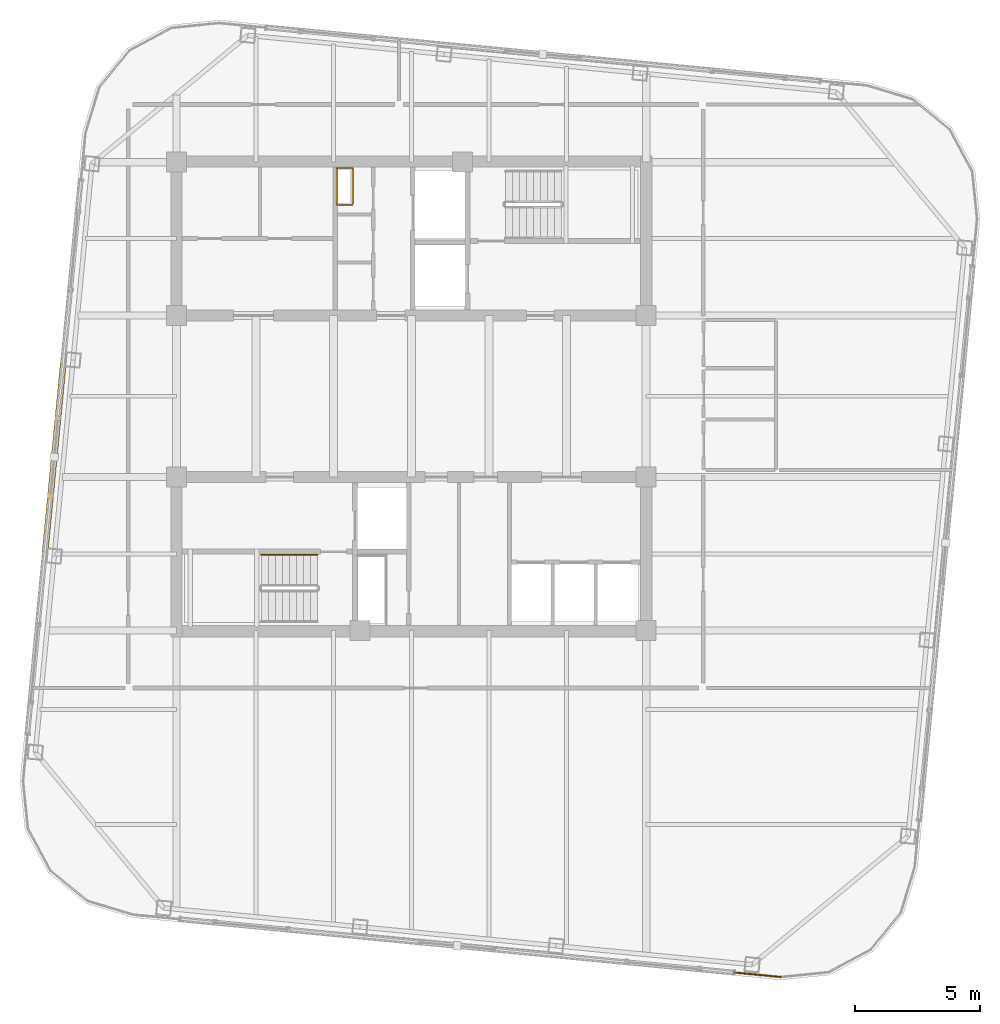
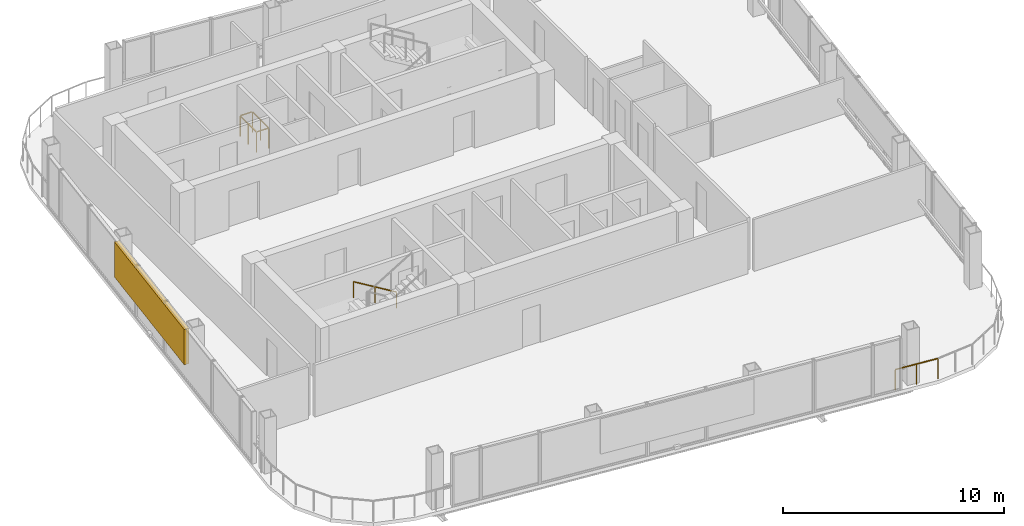
# One storey, part 24 of 26: 3 railings, 1 shading device.
"""IFC4 building model written with IfcOpenShell, lengths in metres."""

from ifc_helpers import new_model, si_unit, direction, frame, origin, origin_2d, place, context, subcontext, project, spatial, rectangle, extrude, material, type_object, element, save


model = new_model("IFC4")

# Units and contexts
model_context = context("Model", 3, precision=1e-05, world=origin(), true_north=direction((0.0, 1.0)))
body_context = subcontext(model_context, "Body", "Model", "MODEL_VIEW")
ifc_project = project(units=[si_unit("LENGTHUNIT", "METRE"), si_unit("AREAUNIT", "SQUARE_METRE"), si_unit("VOLUMEUNIT", "CUBIC_METRE"), si_unit("PLANEANGLEUNIT", "RADIAN"), si_unit("MASSUNIT", "GRAM", prefix="KILO")], contexts=[model_context])

# Site, building, storey
site_placement = place(None, origin())
site = spatial("IfcSite", under=ifc_project, at=site_placement, CompositionType="ELEMENT")
building_placement = place(site_placement, origin())
building = spatial("IfcBuilding", under=site, at=building_placement, Name="Qhalaya Broadcast Tower", CompositionType="ELEMENT")
storey_placement = place(building_placement, frame((0.0, 0.0, 248.949951171875)))
storey = spatial("IfcBuildingStorey", under=building, at=storey_placement, Name="L73", CompositionType="ELEMENT", Elevation=248.949951171875)

# Railings
ifc_material_1 = material(Name="Powder-Coated Galvanised Steel", Category="steel")
railing_type_1 = type_object("IfcRailingType", Name="Stair Wall Handrail 900", PredefinedType="HANDRAIL", material=ifc_material_1)
railing_1_placement = place(storey_placement, frame((-3.75, -5.72998046875, 0.16943359375)))
element("IfcRailing", 1, at=railing_1_placement, inside=storey, type_object=railing_type_1, Name="L73 ST-2 Stair Handrail 1", PredefinedType="HANDRAIL", context=body_context, shape_type="SweptSolid", body=[
    extrude(rectangle(XDim=0.048095703125, YDim=0.048095703125, at=origin_2d()), frame((0.0, 0.0, 0.8759765625), z_axis=(-0.855512035549, 0.0, 0.517782924622), x_axis=(0.0, -1.0, 0.0)), (0.0, 0.0, 1.0), 2.618408203125),
    extrude(rectangle(XDim=0.0419921875, YDim=0.0419921875, at=origin_2d()), origin(), (0.0, 0.0, 1.0), 0.849853515625),
    extrude(rectangle(XDim=0.0419921875, YDim=0.0419921875, at=origin_2d()), frame((-1.1201171875, 0.0, 0.677734375)), (0.0, 0.0, 1.0), 0.849853515625),
    extrude(rectangle(XDim=0.0419921875, YDim=0.0419921875, at=origin_2d()), frame((-2.239990234375, 0.0, 1.355712890625)), (0.0, 0.0, 1.0), 0.849853515625),
])
railing_type_2 = type_object("IfcRailingType", Name="Stair Well & Landing Guardrail 1100", PredefinedType="GUARDRAIL", material=ifc_material_1)
railing_2_placement = place(storey_placement, frame((-2.340087890625, 8.239990234375, 0.0)))
element("IfcRailing", 2, at=railing_2_placement, inside=storey, type_object=railing_type_2, Name="L73 Service Riser Opening Safety Guard NRSR", PredefinedType="GUARDRAIL", context=body_context, shape_type="SweptSolid", body=[
    extrude(rectangle(XDim=0.048095703125, YDim=0.048095703125, at=origin_2d()), frame((0.0, 0.02880859375, 1.1259765625), z_axis=(0.0, 1.0, 0.0), x_axis=(-1.0, 0.0, 0.0)), (0.0, 0.0, 1.0), 1.42236328125),
    extrude(rectangle(XDim=0.048095703125, YDim=0.048095703125, at=origin_2d()), frame((-0.02880859375, 1.47998046875, 1.1259765625), z_axis=(-1.0, 0.0, 0.0), x_axis=(0.0, -1.0, 0.0)), (0.0, 0.0, 1.0), 0.582275390625),
    extrude(rectangle(XDim=0.048095703125, YDim=0.048095703125, at=origin_2d()), frame((-0.639892578125, 1.451171875, 1.1259765625), z_axis=(0.0, -1.0, 0.0), x_axis=(1.0, 0.0, 0.0)), (0.0, 0.0, 1.0), 1.42236328125),
    extrude(rectangle(XDim=0.048095703125, YDim=0.048095703125, at=origin_2d()), frame((-0.611083984375, 0.0, 1.1259765625), z_axis=(1.0, 0.0, 0.0), x_axis=(0.0, 1.0, 0.0)), (0.0, 0.0, 1.0), 0.582275390625),
    extrude(rectangle(XDim=0.0419921875, YDim=0.0419921875, at=origin_2d()), origin(), (0.0, 0.0, 1.0), 1.099853515625),
    extrude(rectangle(XDim=0.0419921875, YDim=0.0419921875, at=origin_2d()), frame((0.0, 0.739990234375, 0.0)), (0.0, 0.0, 1.0), 1.099853515625),
    extrude(rectangle(XDim=0.0419921875, YDim=0.0419921875, at=origin_2d()), frame((0.0, 1.47998046875, 0.0)), (0.0, 0.0, 1.0), 1.099853515625),
    extrude(rectangle(XDim=0.0419921875, YDim=0.0419921875, at=origin_2d()), frame((-0.639892578125, 1.47998046875, 0.0)), (0.0, 0.0, 1.0), 1.099853515625),
    extrude(rectangle(XDim=0.0419921875, YDim=0.0419921875, at=origin_2d()), frame((-0.639892578125, 0.739990234375, 0.0)), (0.0, 0.0, 1.0), 1.099853515625),
    extrude(rectangle(XDim=0.0419921875, YDim=0.0419921875, at=origin_2d()), frame((-0.639892578125, 0.0, 0.0)), (0.0, 0.0, 1.0), 1.099853515625),
])
railing_type_3 = type_object("IfcRailingType", Name="Terrace, Sky-Pool & Lookout Glass Balustrade 1150", PredefinedType="BALUSTRADE", material=ifc_material_1)
railing_3_placement = place(storey_placement, frame((14.754638671875, -22.58251953125, 0.0)))
element("IfcRailing", 3, at=railing_3_placement, inside=storey, type_object=railing_type_3, Name="L73 Rounded Corner Perimeter Guard 01", PredefinedType="BALUSTRADE", context=body_context, shape_type="SweptSolid", body=[
    extrude(rectangle(XDim=0.048095703125, YDim=0.048095703125, at=origin_2d()), frame((0.0, 0.0, 1.1259765625), z_axis=(-0.995391273094, 0.095896889673, 0.0), x_axis=(-0.095896889673, -0.995391273094, 0.0)), (0.0, 0.0, 1.0), 2.1181640625),
    extrude(rectangle(XDim=0.0419921875, YDim=0.0419921875, at=origin_2d()), origin(), (0.0, 0.0, 1.0), 1.099853515625),
    extrude(rectangle(XDim=0.0419921875, YDim=0.0419921875, at=origin_2d()), frame((-1.05419921875, 0.1015625, 0.0)), (0.0, 0.0, 1.0), 1.099853515625),
    extrude(rectangle(XDim=0.0419921875, YDim=0.0419921875, at=origin_2d()), frame((-2.1083984375, 0.203125, 0.0)), (0.0, 0.0, 1.0), 1.099853515625),
])

# Shading device
ifc_material_2 = material(Name="Fired Architectural Terracotta", Category="masonry")
shading_device_type = type_object("IfcShadingDeviceType", Name="Terracotta Baguette Solar Screen Assembly TBS-01", PredefinedType="USERDEFINED", material=ifc_material_2)
shading_device_placement = place(storey_placement, frame((-14.2578125, -1.826171875, 0.80078125), z_axis=(0.0, 0.0, 1.0), x_axis=(-0.09584575252, -0.995396198367, 0.0)))
element("IfcShadingDevice", 4, at=shading_device_placement, inside=storey, type_object=shading_device_type, Name="L73 Fired Terracotta Baguette Screen W", ObjectType="BAGUETTE", PredefinedType="USERDEFINED", context=body_context, shape_type="SweptSolid", body=[
    extrude(rectangle(XDim=7.60009765625, YDim=0.239990234375, at=origin_2d()), origin(), (0.0, 0.0, 1.0), 1.945068359375),
])

save(model, "model.ifc")
